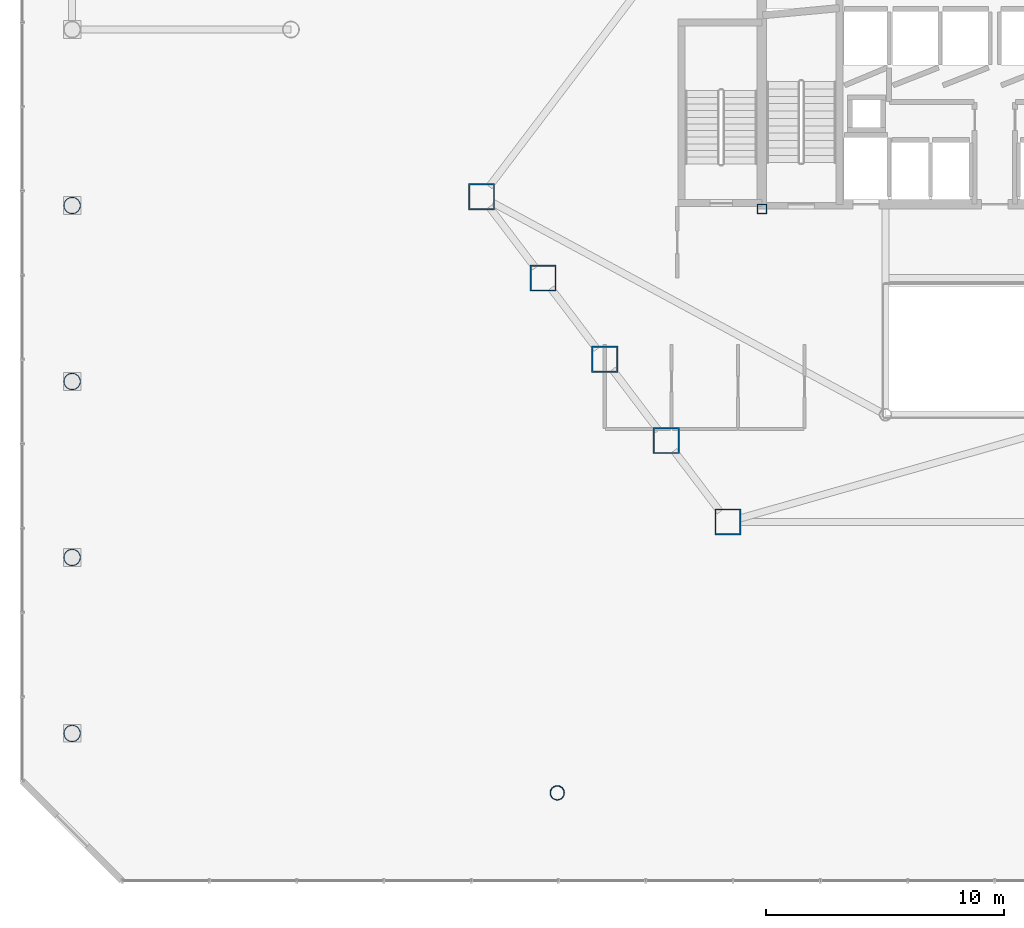
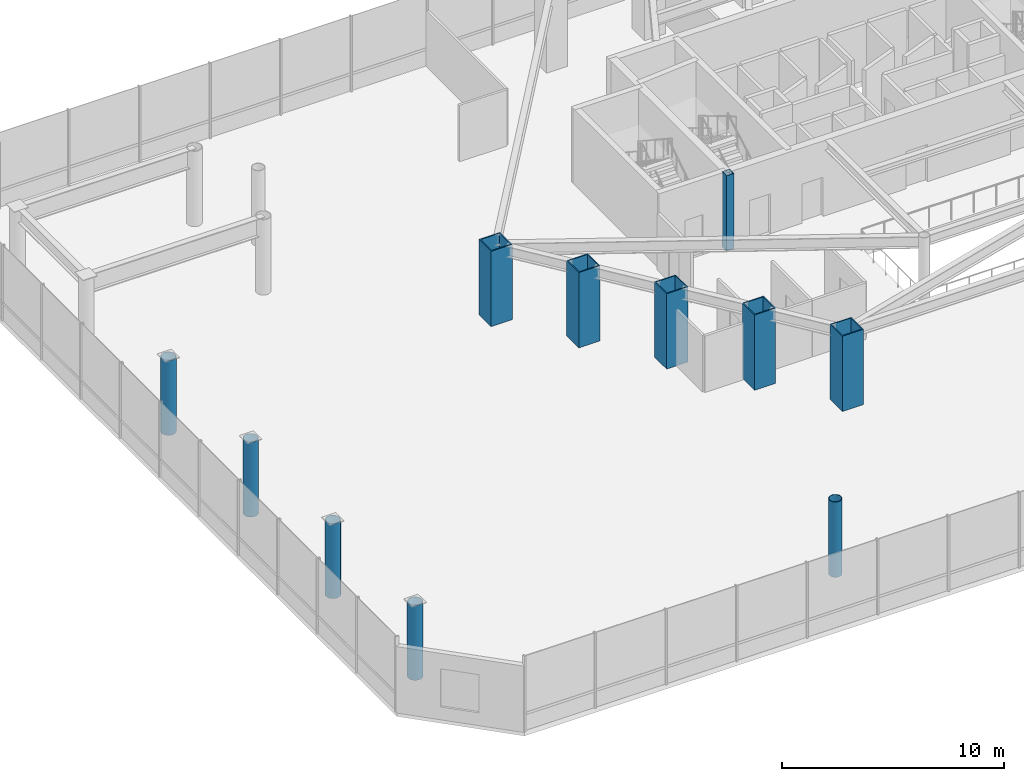
# One storey, part 1 of 43: 11 columns.
"""IFC4 building model written with IfcOpenShell, lengths in metres."""

import ifcopenshell
import ifcopenshell.guid

model = None  # the IFC model being written
_history = None  # IfcOwnerHistory: only IFC2X3 demands one
_inside = {}  # id of a spatial element -> (the spatial element, [elements in it])
_under = {}  # id of a project, library or spatial element -> (it, [spatial elements below it])
_declared = {}  # id of a project -> (the project, [libraries it declares])
_typed = {}  # id of a type object -> (the type object, [elements of that type])
_made_of = {}  # id of a material, layer set ... -> (it, [elements and type objects made of it])


def new_model(schema):
    """Start an empty IFC model of exactly this schema.

    Asked for "IFC4X3", IfcOpenShell would pick the latest addendum, in which some entities
    have other attributes; the version numbers below select the first issue.
    IFC2X3 requires an IfcOwnerHistory on every rooted entity: one is made here for all.
    """
    global model, _history
    if schema == "IFC4X3":
        model = ifcopenshell.file(schema_version=(4, 3, 0, 0))
    else:
        model = ifcopenshell.file(schema=schema)
    _inside.clear()
    _under.clear()
    _declared.clear()
    _typed.clear()
    _made_of.clear()
    _history = None
    if model.schema == "IFC2X3":
        org = make("IfcOrganization", Name="unknown")
        user = make(
            "IfcPersonAndOrganization",
            ThePerson=make("IfcPerson", FamilyName="unknown"),
            TheOrganization=org,
        )
        app = make(
            "IfcApplication",
            ApplicationDeveloper=org,
            Version="unknown",
            ApplicationFullName="unknown",
            ApplicationIdentifier="unknown",
        )
        _history = make(
            "IfcOwnerHistory",
            OwningUser=user,
            OwningApplication=app,
            ChangeAction="ADDED",
            CreationDate=0,
        )
    return model


def make(cls, **values):
    """One entity of the class cls with the attributes given. An attribute that is None is left unset."""
    return model.create_entity(
        cls, **{name: value for name, value in values.items() if value is not None}
    )


def rooted(cls, **values):
    """An entity with a GlobalId (a new one), such as an element, a storey or a relation."""
    return make(cls, GlobalId=ifcopenshell.guid.new(), OwnerHistory=_history, **values)


def si_unit(unit_type, name, prefix=None):
    """IfcSIUnit, for example si_unit("LENGTHUNIT", "METRE", prefix="MILLI")."""
    return make("IfcSIUnit", UnitType=unit_type, Prefix=prefix, Name=name)


def assignment(units):
    """IfcUnitAssignment: the units of a project."""
    return None if units is None else make("IfcUnitAssignment", Units=units)


def point(xyz):
    """IfcCartesianPoint."""
    return None if xyz is None else make("IfcCartesianPoint", Coordinates=xyz)


def direction(xyz):
    """IfcDirection."""
    return None if xyz is None else make("IfcDirection", DirectionRatios=xyz)


def frame(location, z_axis=None, x_axis=None):
    """IfcAxis2Placement3D, a coordinate frame: its origin and axes. An axis left out is left unset."""
    return make(
        "IfcAxis2Placement3D",
        Location=point(location),
        Axis=direction(z_axis),
        RefDirection=direction(x_axis),
    )


def frame_2d(location, x_axis=None):
    """IfcAxis2Placement2D, a coordinate frame in the plane: its origin and x axis."""
    return make(
        "IfcAxis2Placement2D", Location=point(location), RefDirection=direction(x_axis)
    )


def origin():
    """The frame at (0, 0, 0) with its axes left unset."""
    return frame((0.0, 0.0, 0.0))


def origin_2d():
    """The frame at (0, 0) in the plane with its x axis left unset."""
    return frame_2d((0.0, 0.0))


def place(relative_to, where):
    """IfcLocalPlacement: puts the frame where relative to a parent placement (None: the world)."""
    return make(
        "IfcLocalPlacement", PlacementRelTo=relative_to, RelativePlacement=where
    )


def context(
    kind, dimensions, precision=None, world=None, true_north=None, identifier=None
):
    """IfcGeometricRepresentationContext, for example the 3D "Model" context."""
    return make(
        "IfcGeometricRepresentationContext",
        ContextIdentifier=identifier,
        ContextType=kind,
        CoordinateSpaceDimension=dimensions,
        Precision=precision,
        WorldCoordinateSystem=world,
        TrueNorth=true_north,
    )


def subcontext(parent, identifier, kind, view, scale=None):
    """IfcGeometricRepresentationSubContext, for example "Body" below "Model"."""
    return make(
        "IfcGeometricRepresentationSubContext",
        ContextIdentifier=identifier,
        ContextType=kind,
        ParentContext=parent,
        TargetScale=scale,
        TargetView=view,
    )


def project(units=None, contexts=None):
    """IfcProject with its units and contexts."""
    return rooted(
        "IfcProject",
        Name="project",
        RepresentationContexts=contexts,
        UnitsInContext=assignment(units),
    )


def spatial(cls, under=None, at=None, **own):
    """A site, building, storey or space (cls), placed at a placement, below another one or the project."""
    s = rooted(cls, ObjectPlacement=at, **own)
    if under is not None:
        _under.setdefault(under.id(), (under, []))[1].append(s)
    return s


def profile(cls, at=None, kind="AREA", **sizes):
    """A parametric profile (cls). Its sizes go by their IFC names, for example OverallWidth=200.0."""
    return make(cls, ProfileType=kind, Position=at, **sizes)


def hollow_rectangle(**sizes):
    """IfcRectangleHollowProfileDef."""
    return profile("IfcRectangleHollowProfileDef", **sizes)


def hollow_circle(**sizes):
    """IfcCircleHollowProfileDef."""
    return profile("IfcCircleHollowProfileDef", **sizes)


def extrude(swept, where, along, depth):
    """IfcExtrudedAreaSolid: the profile swept, set in the frame where, extruded along a direction by depth."""
    return make(
        "IfcExtrudedAreaSolid",
        SweptArea=swept,
        Position=where,
        ExtrudedDirection=direction(along),
        Depth=depth,
    )


def shape(context_of_items, identifier, shape_type, items):
    """IfcShapeRepresentation: the items that make up one representation, for example the "Body"."""
    return make(
        "IfcShapeRepresentation",
        ContextOfItems=context_of_items,
        RepresentationIdentifier=identifier,
        RepresentationType=shape_type,
        Items=items,
    )


def material(Name=None, Category=None):
    """IfcMaterial."""
    return make("IfcMaterial", Name=Name, Category=Category)


def material_profile(
    of_material, cross_section, Name=None, Category=None, Priority=None
):
    """IfcMaterialProfile: a cross section and its material."""
    return make(
        "IfcMaterialProfile",
        Name=Name,
        Material=of_material,
        Profile=cross_section,
        Priority=Priority,
        Category=Category,
    )


def profile_set(profiles, Name=None, composite=None):
    """IfcMaterialProfileSet."""
    return make(
        "IfcMaterialProfileSet",
        Name=Name,
        MaterialProfiles=profiles,
        CompositeProfile=composite,
    )


def made_of(thing, what):
    """Note that an element or type object is made of a material, layer set ...; save() writes the relation."""
    if what is not None:
        _made_of.setdefault(what.id(), (what, []))[1].append(thing)
    return thing


def type_object(cls, material=None, **own):
    """A type object (cls), such as IfcWallType, which elements share."""
    return made_of(rooted(cls, **own), material)


def element(
    cls,
    number,
    at=None,
    inside=None,
    cuts=None,
    type_object=None,
    material=None,
    context=None,
    identifier="Body",
    shape_type=None,
    held_by="IfcProductDefinitionShape",
    body=None,
    shapes=None,
    **own,
):
    """One element of the class cls, such as IfcWall. Its Tag is "e" and its number.

    at: its placement. inside: the storey or other place that contains it. cuts: it is an
    opening in that element (IfcRelVoidsElement). A single representation is given by context,
    identifier, shape_type and body (its items); several are given by shapes. held_by: the class
    of the entity that holds the representations. save() writes the other relations.
    """
    e = rooted(cls, Tag="e%d" % number, ObjectPlacement=at, **own)
    if body is not None:
        shapes = [shape(context, identifier, shape_type, body)]
    if shapes is not None:
        e.Representation = make(held_by, Representations=shapes)
    if inside is not None:
        _inside.setdefault(inside.id(), (inside, []))[1].append(e)
    if cuts is not None:
        rooted(
            "IfcRelVoidsElement", RelatingBuildingElement=cuts, RelatedOpeningElement=e
        )
    if type_object is not None:
        _typed.setdefault(type_object.id(), (type_object, []))[1].append(e)
    return made_of(e, material)


def aggregate(whole, parts):
    """IfcRelAggregates: a whole, such as a stair, and the parts it consists of."""
    return rooted("IfcRelAggregates", RelatingObject=whole, RelatedObjects=parts)


def save(model, path):
    """Write the relations noted so far, then the file.

    IfcRelAggregates (storeys below a building ...), IfcRelContainedInSpatialStructure (elements
    in a storey), IfcRelDefinesByType, IfcRelAssociatesMaterial and IfcRelDeclares: one each for
    every whole, place, type object, material and project.
    """
    for whole, parts in _under.values():
        aggregate(whole, parts)
    for where, things in _inside.values():
        rooted(
            "IfcRelContainedInSpatialStructure",
            RelatedElements=things,
            RelatingStructure=where,
        )
    for kind, things in _typed.values():
        rooted("IfcRelDefinesByType", RelatedObjects=things, RelatingType=kind)
    for what, things in _made_of.values():
        rooted("IfcRelAssociatesMaterial", RelatedObjects=things, RelatingMaterial=what)
    for by, libraries in _declared.values():
        rooted("IfcRelDeclares", RelatingContext=by, RelatedDefinitions=libraries)
    model.write(path)


model = new_model("IFC4")

# Units and contexts
model_context = context("Model", 3, precision=1e-05, world=origin(), true_north=direction((0.0, 1.0)))
body_context = subcontext(model_context, "Body", "Model", "MODEL_VIEW")
ifc_project = project(units=[si_unit("LENGTHUNIT", "METRE"), si_unit("AREAUNIT", "SQUARE_METRE"), si_unit("VOLUMEUNIT", "CUBIC_METRE"), si_unit("PLANEANGLEUNIT", "RADIAN"), si_unit("MASSUNIT", "GRAM", prefix="KILO")], contexts=[model_context])

# Site, building, storey
site_placement = place(None, origin())
site = spatial("IfcSite", under=ifc_project, at=site_placement, CompositionType="ELEMENT")
building_placement = place(site_placement, origin())
building = spatial("IfcBuilding", under=site, at=building_placement, Name="Zarrinselat Tower", CompositionType="ELEMENT")
storey_placement = place(building_placement, frame((0.0, 0.0, 5.10009765625)))
storey = spatial("IfcBuildingStorey", under=building, at=storey_placement, Name="L01", CompositionType="ELEMENT", Elevation=5.10009765625)

# Columns
ifc_material_1 = material(Name="Steel S355J2", Category="steel")
ifc_material_profile_1 = material_profile(ifc_material_1, hollow_circle(Radius=0.304931640625, WallThickness=0.02490234375, at=origin_2d()), Name="CHS 610x25")
ifc_profile_set_1 = profile_set([ifc_material_profile_1], Name="Steel S355J2")
column_type_1 = type_object("IfcColumnType", Name="COL-CHS610", PredefinedType="COLUMN", material=ifc_profile_set_1)
column_1_placement = place(storey_placement, frame((20.0, 8.5, 0.0), z_axis=(0.0, 0.0, 1.0), x_axis=(1.0, 0.0, 0.0)))
element("IfcColumn", 1, at=column_1_placement, inside=storey, type_object=column_type_1, Name="L01 Garden Deck Support Column 1", PredefinedType="COLUMN", context=body_context, shape_type="SweptSolid", body=[
    extrude(hollow_circle(Radius=0.304931640625, WallThickness=0.02490234375, at=origin_2d()), origin(), (0.0, 0.0, 1.0), 4.139892578125),
])
ifc_material_2 = material(Name="Steel S460M", Category="steel")
ifc_material_profile_2 = material_profile(ifc_material_2, hollow_circle(Radius=0.35546875, WallThickness=0.030029296875, at=origin_2d()), Name="CHS 711x30")
ifc_profile_set_2 = profile_set([ifc_material_profile_2], Name="Steel S460M")
column_type_2 = type_object("IfcColumnType", Name="COL-CHS711", PredefinedType="COLUMN", material=ifc_profile_set_2)
for number, where, z_axis, x_axis, name in (
    (2, (-0.39990234375, 11.0, 0.0), (0.0, 0.0, 1.0), (1.0, 0.0, 0.0), "L01 Lower Podium Column 01"),
    (3, (-0.39990234375, 18.39990234375, 0.0), (0.0, 0.0, 1.0), (1.0, 0.0, 0.0), "L01 Lower Podium Column 02"),
    (4, (-0.39990234375, 25.800048828125, 0.0), (0.0, 0.0, 1.0), (1.0, 0.0, 0.0), "L01 Lower Podium Column 03"),
    (5, (-0.39990234375, 33.199951171875, 0.0), (0.0, 0.0, 1.0), (1.0, 0.0, 0.0), "L01 Lower Podium Column 04"),
):
    element("IfcColumn", number, at=place(storey_placement, frame(where, z_axis=z_axis, x_axis=x_axis)), inside=storey, type_object=column_type_2, Name=name, PredefinedType="COLUMN", context=body_context, shape_type="SweptSolid", body=[
        extrude(hollow_circle(Radius=0.35546875, WallThickness=0.030029296875, at=origin_2d()), origin(), (0.0, 0.0, 1.0), 4.10986328125),
    ])
ifc_material_3 = material(Name="Steel S460M", Category="steel")
ifc_material_profile_3 = material_profile(ifc_material_3, hollow_rectangle(XDim=1.10009765625, YDim=1.10009765625, WallThickness=0.054931640625, at=origin_2d()), Name="SHS 1100x1100x55")
ifc_profile_set_3 = profile_set([ifc_material_profile_3], Name="Steel S460M")
column_type_3 = type_object("IfcColumnType", Name="COL-SHS1100", PredefinedType="COLUMN", material=ifc_profile_set_3)
for number, where, z_axis, x_axis, name in (
    (6, (16.8154296875, 33.568115234375, 0.0), (0.0, 0.0, 1.0), (1.0, 0.0, 0.0), "L01 Framed-Tube Column T06"),
    (7, (19.40478515625, 30.14990234375, 0.0), (0.0, 0.0, 1.0), (1.0, 0.0, 0.0), "L01 Framed-Tube Column T07"),
    (8, (21.994384765625, 26.73193359375, 0.0), (0.0, 0.0, 1.0), (1.0, 0.0, 0.0), "L01 Framed-Tube Column T08"),
    (9, (24.58349609375, 23.31396484375, 0.0), (0.0, 0.0, 1.0), (1.0, 0.0, 0.0), "L01 Framed-Tube Column T09"),
    (10, (27.173095703125, 19.89599609375, 0.0), (0.0, 0.0, 1.0), (1.0, 0.0, 0.0), "L01 Framed-Tube Column T10"),
):
    element("IfcColumn", number, at=place(storey_placement, frame(where, z_axis=z_axis, x_axis=x_axis)), inside=storey, type_object=column_type_3, Name=name, PredefinedType="COLUMN", context=body_context, shape_type="SweptSolid", body=[
        extrude(hollow_rectangle(XDim=1.10009765625, YDim=1.10009765625, WallThickness=0.054931640625, at=origin_2d()), origin(), (0.0, 0.0, 1.0), 4.139892578125),
    ])
ifc_material_4 = material(Name="Steel S355J2", Category="steel")
ifc_material_profile_4 = material_profile(ifc_material_4, hollow_rectangle(XDim=0.39990234375, YDim=0.39990234375, WallThickness=0.02001953125, at=origin_2d()), Name="SHS 400x400x20")
ifc_profile_set_4 = profile_set([ifc_material_profile_4], Name="Steel S355J2")
column_type_4 = type_object("IfcColumnType", Name="COL-SHS400", PredefinedType="PILASTER", material=ifc_profile_set_4)
column_2_placement = place(storey_placement, frame((28.60009765625, 33.050048828125, 0.0), z_axis=(0.0, 0.0, 1.0), x_axis=(1.0, 0.0, 0.0)))
element("IfcColumn", 11, at=column_2_placement, inside=storey, type_object=column_type_4, Name="L01 Gallery Structural Pilaster 1", PredefinedType="PILASTER", context=body_context, shape_type="SweptSolid", body=[
    extrude(hollow_rectangle(XDim=0.39990234375, YDim=0.39990234375, WallThickness=0.02001953125, at=origin_2d()), origin(), (0.0, 0.0, 1.0), 4.139892578125),
])

save(model, "model.ifc")
